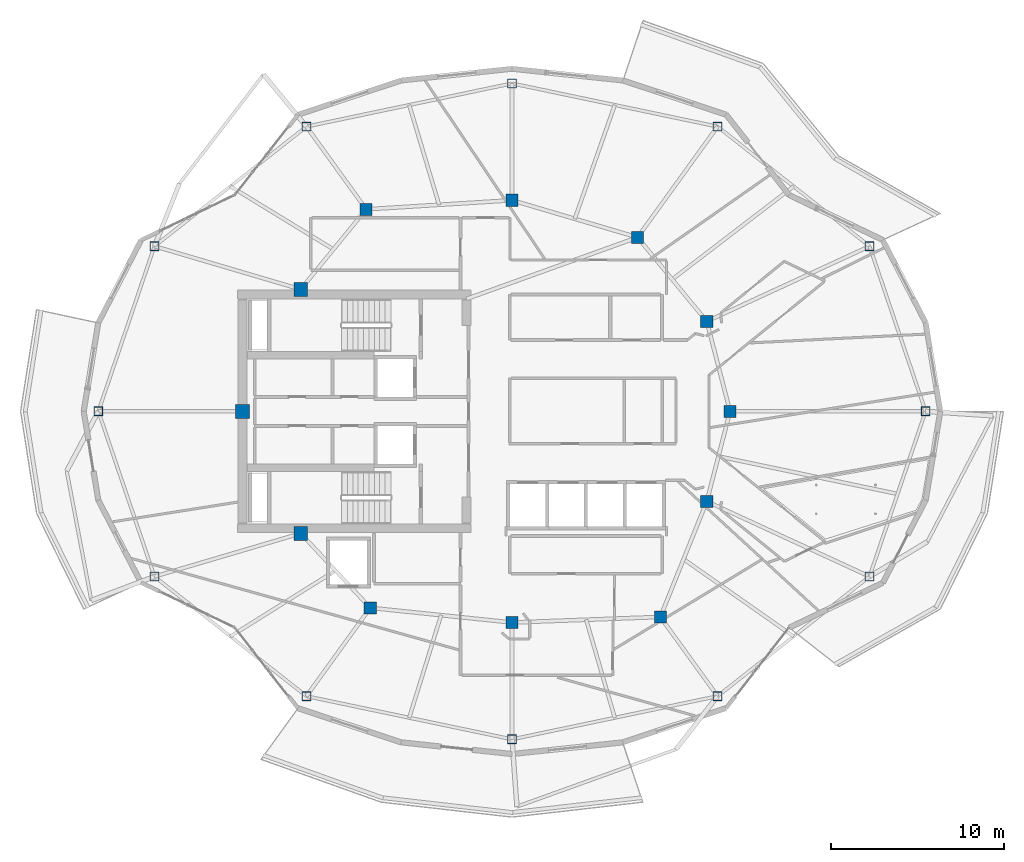
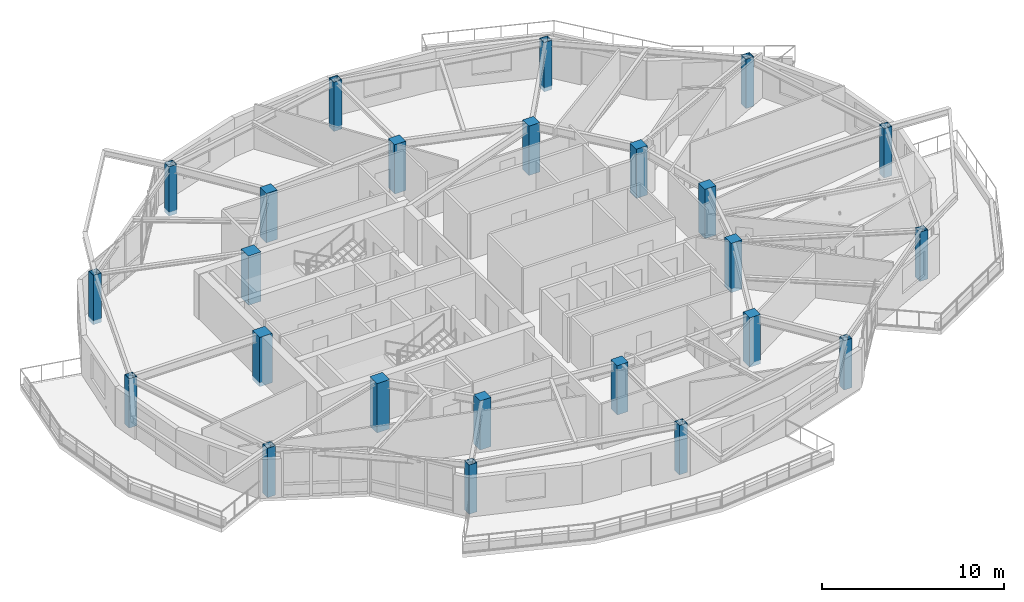
# One storey, part 1 of 16: 24 columns.
"""IFC4 building model written with IfcOpenShell, lengths in metres."""

from ifc_helpers import new_model, si_unit, direction, frame, origin, origin_2d, place, context, subcontext, project, spatial, rectangle, hollow_rectangle, extrude, material, material_profile, profile_set, type_object, element, save


model = new_model("IFC4")

# Units and contexts
model_context = context("Model", 3, precision=1e-05, world=origin(), true_north=direction((0.0, 1.0)))
body_context = subcontext(model_context, "Body", "Model", "MODEL_VIEW")
ifc_project = project(units=[si_unit("LENGTHUNIT", "METRE"), si_unit("AREAUNIT", "SQUARE_METRE"), si_unit("VOLUMEUNIT", "CUBIC_METRE"), si_unit("PLANEANGLEUNIT", "RADIAN"), si_unit("MASSUNIT", "GRAM", prefix="KILO")], contexts=[model_context])

# Site, building, storey
site_placement = place(None, origin())
site = spatial("IfcSite", under=ifc_project, at=site_placement, CompositionType="ELEMENT")
building_placement = place(site_placement, origin())
building = spatial("IfcBuilding", under=site, at=building_placement, Name="Kolvaren Gate Tower and Convention Centre", CompositionType="ELEMENT")
storey_placement = place(building_placement, frame((0.0, 0.0, 219.5)))
storey = spatial("IfcBuildingStorey", under=building, at=storey_placement, Name="L58", CompositionType="ELEMENT", Elevation=219.5)

# Columns
ifc_material_1 = material(Name="Structural steel ASTM A500 Grade C 345 MPa", Category="steel")
ifc_material_profile_1 = material_profile(ifc_material_1, hollow_rectangle(XDim=0.508056640625, YDim=0.508056640625, WallThickness=0.01904296875, at=origin_2d()), Name="HSS508X508X19.1")
ifc_profile_set_1 = profile_set([ifc_material_profile_1], Name="Structural steel ASTM A500 Grade C 345 MPa")
column_type_1 = type_object("IfcColumnType", Name="STR-COL-HSS508", PredefinedType="COLUMN", material=ifc_profile_set_1)
for number, where, z_axis, x_axis, name in (
    (1, (54.02490234375, 27.0, -0.27001953125), (0.0, 0.0, 1.0), (1.0, 0.0, 0.0), "Tower L58 Perimeter Supercolumn TP-01"),
    (2, (50.787353515625, 36.543701171875, -0.27001953125), (0.0, 0.0, 1.0), (1.0, 0.0, 0.0), "Tower L58 Perimeter Supercolumn TP-02"),
    (3, (42.002685546875, 43.4580078125, -0.27001953125), (0.0, 0.0, 1.0), (1.0, 0.0, 0.0), "Tower L58 Perimeter Supercolumn TP-03"),
    (4, (30.125, 45.949951171875, -0.27001953125), (0.0, 0.0, 1.0), (1.0, 0.0, 0.0), "Tower L58 Perimeter Supercolumn TP-04"),
    (5, (18.247314453125, 43.4580078125, -0.27001953125), (0.0, 0.0, 1.0), (1.0, 0.0, 0.0), "Tower L58 Perimeter Supercolumn TP-05"),
    (6, (9.462646484375, 36.543701171875, -0.27001953125), (0.0, 0.0, 1.0), (1.0, 0.0, 0.0), "Tower L58 Perimeter Supercolumn TP-06"),
    (7, (6.22509765625, 27.0, -0.27001953125), (0.0, 0.0, 1.0), (1.0, 0.0, 0.0), "Tower L58 Perimeter Supercolumn TP-07"),
    (8, (9.462646484375, 17.456298828125, -0.27001953125), (0.0, 0.0, 1.0), (1.0, 0.0, 0.0), "Tower L58 Perimeter Supercolumn TP-08"),
    (9, (18.247314453125, 10.5419921875, -0.27001953125), (0.0, 0.0, 1.0), (1.0, 0.0, 0.0), "Tower L58 Perimeter Supercolumn TP-09"),
    (10, (30.125, 8.050048828125, -0.27001953125), (0.0, 0.0, 1.0), (1.0, 0.0, 0.0), "Tower L58 Perimeter Supercolumn TP-10"),
    (11, (42.002685546875, 10.5419921875, -0.27001953125), (0.0, 0.0, 1.0), (1.0, 0.0, 0.0), "Tower L58 Perimeter Supercolumn TP-11"),
    (12, (50.787353515625, 17.456298828125, -0.27001953125), (0.0, 0.0, 1.0), (1.0, 0.0, 0.0), "Tower L58 Perimeter Supercolumn TP-12"),
):
    element("IfcColumn", number, at=place(storey_placement, frame(where, z_axis=z_axis, x_axis=x_axis)), inside=storey, type_object=column_type_1, Name=name, PredefinedType="COLUMN", context=body_context, shape_type="SweptSolid", body=[
        extrude(hollow_rectangle(XDim=0.508056640625, YDim=0.508056640625, WallThickness=0.01904296875, at=origin_2d()), origin(), (0.0, 0.0, 1.0), 3.300048828125),
    ])
ifc_material_2 = material(Name="Concrete C50/60", Category="concrete")
ifc_material_profile_2 = material_profile(ifc_material_2, rectangle(XDim=0.699951171875, YDim=0.699951171875, at=origin_2d()), Name="RC-COL-700X700")
ifc_profile_set_2 = profile_set([ifc_material_profile_2], Name="Concrete C50/60")
column_type_2 = type_object("IfcColumnType", Name="STR-COL-RC700", PredefinedType="COLUMN", material=ifc_profile_set_2)
for number, where, z_axis, x_axis, name in (
    (13, (42.72509765625, 27.0, -0.27001953125), (0.0, 0.0, 1.0), (1.0, 0.0, 0.0), "Tower L58 Interior Column TI-01"),
    (14, (41.382080078125, 32.199462890625, -0.27001953125), (0.0, 0.0, 1.0), (1.0, 0.0, 0.0), "Tower L58 Interior Column TI-02"),
    (15, (37.381591796875, 37.054931640625, -0.27001953125), (0.0, 0.0, 1.0), (1.0, 0.0, 0.0), "Tower L58 Interior Column TI-03"),
    (16, (30.125, 39.199951171875, -0.27001953125), (0.0, 0.0, 1.0), (1.0, 0.0, 0.0), "Tower L58 Interior Column TI-04"),
    (17, (21.697998046875, 38.6767578125, -0.27001953125), (0.0, 0.0, 1.0), (1.0, 0.0, 0.0), "Tower L58 Interior Column TI-05"),
    (18, (21.93212890625, 15.647705078125, -0.27001953125), (0.0, 0.0, 1.0), (1.0, 0.0, 0.0), "Tower L58 Interior Column TI-06"),
    (19, (30.125, 14.800048828125, -0.27001953125), (0.0, 0.0, 1.0), (1.0, 0.0, 0.0), "Tower L58 Interior Column TI-07"),
    (20, (38.6982421875, 15.12060546875, -0.27001953125), (0.0, 0.0, 1.0), (1.0, 0.0, 0.0), "Tower L58 Interior Column TI-08"),
    (21, (41.382080078125, 21.800537109375, -0.27001953125), (0.0, 0.0, 1.0), (1.0, 0.0, 0.0), "Tower L58 Interior Column TI-09"),
):
    element("IfcColumn", number, at=place(storey_placement, frame(where, z_axis=z_axis, x_axis=x_axis)), inside=storey, type_object=column_type_2, Name=name, PredefinedType="COLUMN", context=body_context, shape_type="SweptSolid", body=[
        extrude(rectangle(XDim=0.699951171875, YDim=0.699951171875, at=origin_2d()), origin(), (0.0, 0.0, 1.0), 3.300048828125),
    ])
ifc_material_3 = material(Name="Concrete C60/75", Category="concrete")
ifc_material_profile_3 = material_profile(ifc_material_3, rectangle(XDim=0.800048828125, YDim=0.800048828125, at=origin_2d()), Name="RC-COL-800X800")
ifc_profile_set_3 = profile_set([ifc_material_profile_3], Name="Concrete C60/75")
column_type_3 = type_object("IfcColumnType", Name="STR-PIL-RC800", PredefinedType="PILASTER", material=ifc_profile_set_3)
for number, where, z_axis, x_axis, name in (
    (22, (17.9140625, 34.050048828125, -0.27001953125), (0.0, 0.0, 1.0), (1.0, 0.0, 0.0), "Tower L58 Core Boundary Pilaster TC-05"),
    (23, (14.550048828125, 27.0, -0.27001953125), (0.0, 0.0, 1.0), (1.0, 0.0, 0.0), "Tower L58 Core Boundary Pilaster TC-06"),
    (24, (17.9140625, 19.949951171875, -0.27001953125), (0.0, 0.0, 1.0), (1.0, 0.0, 0.0), "Tower L58 Core Boundary Pilaster TC-07"),
):
    element("IfcColumn", number, at=place(storey_placement, frame(where, z_axis=z_axis, x_axis=x_axis)), inside=storey, type_object=column_type_3, Name=name, PredefinedType="PILASTER", context=body_context, shape_type="SweptSolid", body=[
        extrude(rectangle(XDim=0.800048828125, YDim=0.800048828125, at=origin_2d()), origin(), (0.0, 0.0, 1.0), 3.300048828125),
    ])

save(model, "model.ifc")
